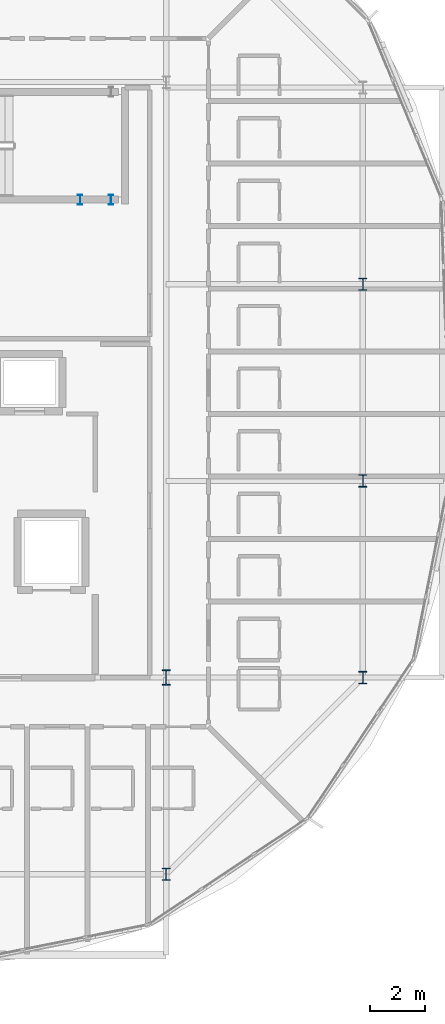
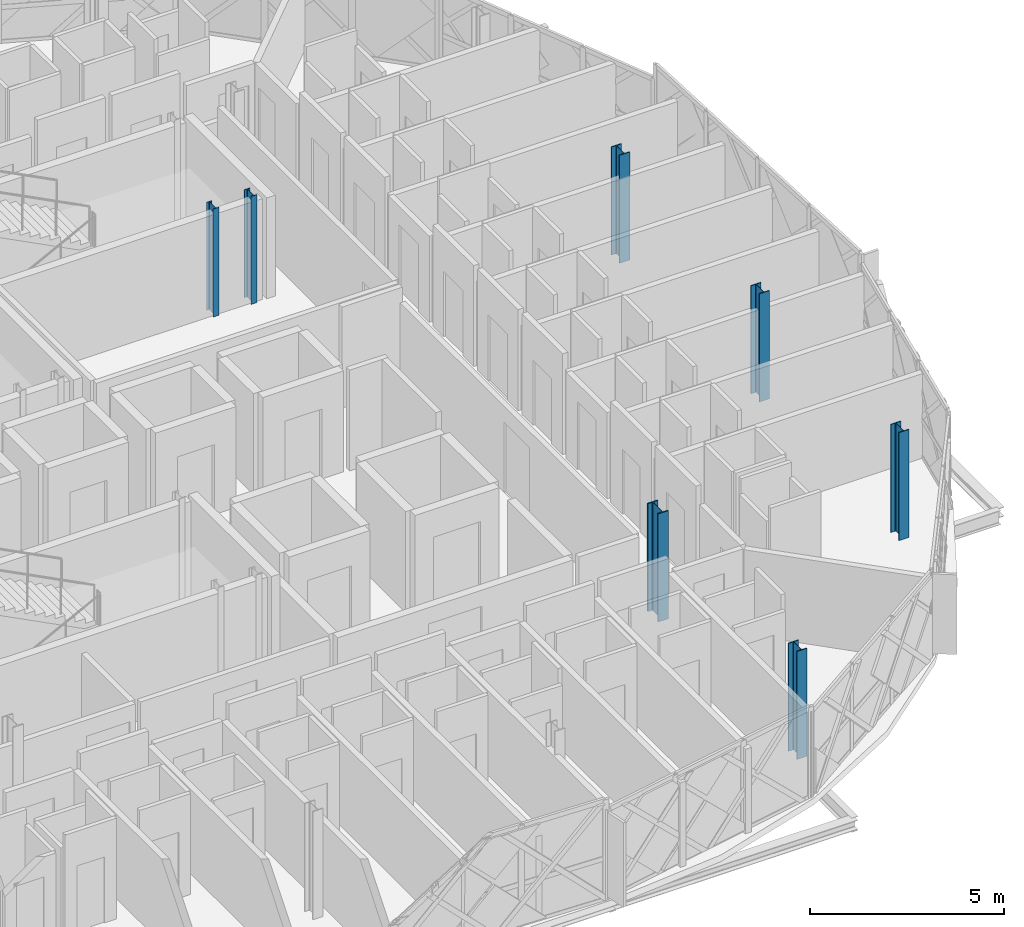
# One storey, part 2 of 25: 7 columns.
"""IFC4 building model written with IfcOpenShell, lengths in metres."""

from ifc_helpers import new_model, si_unit, direction, frame, origin, origin_2d, place, context, subcontext, project, spatial, i_section, extrude, material, material_profile, profile_set, type_object, element, save


model = new_model("IFC4")

# Units and contexts
model_context = context("Model", 3, precision=1e-05, world=origin(), true_north=direction((0.0, 1.0)))
body_context = subcontext(model_context, "Body", "Model", "MODEL_VIEW")
ifc_project = project(units=[si_unit("LENGTHUNIT", "METRE"), si_unit("AREAUNIT", "SQUARE_METRE"), si_unit("VOLUMEUNIT", "CUBIC_METRE"), si_unit("PLANEANGLEUNIT", "RADIAN"), si_unit("MASSUNIT", "GRAM", prefix="KILO")], contexts=[model_context])

# Site, building, storey
site_placement = place(None, origin())
site = spatial("IfcSite", under=ifc_project, at=site_placement, CompositionType="ELEMENT")
building_placement = place(site_placement, origin())
building = spatial("IfcBuilding", under=site, at=building_placement, Name="Zevrakil Square Congress Hotel", CompositionType="ELEMENT")
storey_placement = place(building_placement, frame((0.0, 0.0, 28.300048828125)))
storey = spatial("IfcBuildingStorey", under=building, at=storey_placement, Name="L08", CompositionType="ELEMENT", Elevation=28.300048828125)

# Columns
ifc_material_1 = material(Name="Steel S355", Category="steel")
ifc_material_profile_1 = material_profile(ifc_material_1, i_section(OverallWidth=0.300048828125, OverallDepth=0.449951171875, WebThickness=0.013916015625, FlangeThickness=0.02587890625, FilletRadius=0.027099609375, at=origin_2d()), Name="HEB 450")
ifc_profile_set_1 = profile_set([ifc_material_profile_1], Name="Steel S355")
column_type_1 = type_object("IfcColumnType", Name="COL-HEB450", PredefinedType="COLUMN", material=ifc_profile_set_1)
for number, where, z_axis, x_axis, name in (
    (1, (156.0, 9.60009765625, 0.0), (0.0, 0.0, 1.0), (1.0, 0.0, 0.0), "L08 drum column DC04"),
    (2, (163.199951171875, 16.800048828125, 0.0), (0.0, 0.0, 1.0), (1.0, 0.0, 0.0), "L08 drum column DC05"),
    (3, (163.199951171875, 24.0, 0.0), (0.0, 0.0, 1.0), (1.0, 0.0, 0.0), "L08 drum column DC06"),
    (4, (163.199951171875, 31.199951171875, 0.0), (0.0, 0.0, 1.0), (1.0, 0.0, 0.0), "L08 drum column DC07"),
):
    element("IfcColumn", number, at=place(storey_placement, frame(where, z_axis=z_axis, x_axis=x_axis)), inside=storey, type_object=column_type_1, Name=name, PredefinedType="COLUMN", context=body_context, shape_type="SweptSolid", body=[
        extrude(i_section(OverallWidth=0.300048828125, OverallDepth=0.449951171875, WebThickness=0.013916015625, FlangeThickness=0.02587890625, FilletRadius=0.027099609375, at=origin_2d()), origin(), (0.0, 0.0, 1.0), 3.39990234375),
    ])
ifc_material_2 = material(Name="Steel S355", Category="steel")
ifc_material_profile_2 = material_profile(ifc_material_2, i_section(OverallWidth=0.305908203125, OverallDepth=0.572021484375, WebThickness=0.02099609375, FlangeThickness=0.0400390625, FilletRadius=0.027099609375, at=origin_2d()), Name="HEM 550")
ifc_profile_set_2 = profile_set([ifc_material_profile_2], Name="Steel S355")
column_type_2 = type_object("IfcColumnType", Name="COL-HEM550", PredefinedType="COLUMN", material=ifc_profile_set_2)
column_placement = place(storey_placement, frame((156.0, 16.800048828125, 0.0), z_axis=(0.0, 0.0, 1.0), x_axis=(1.0, 0.0, 0.0)))
element("IfcColumn", 5, at=column_placement, inside=storey, type_object=column_type_2, Name="L08 column C-222", PredefinedType="COLUMN", context=body_context, shape_type="SweptSolid", body=[
    extrude(i_section(OverallWidth=0.305908203125, OverallDepth=0.572021484375, WebThickness=0.02099609375, FlangeThickness=0.0400390625, FilletRadius=0.027099609375, at=origin_2d()), origin(), (0.0, 0.0, 1.0), 3.39990234375),
])
ifc_material_3 = material(Name="Steel S355", Category="steel")
ifc_material_profile_3 = material_profile(ifc_material_3, i_section(OverallWidth=0.169921875, OverallDepth=0.360107421875, WebThickness=0.008056640625, FlangeThickness=0.0126953125, FilletRadius=0.01806640625, at=origin_2d()), Name="IPE 360")
ifc_profile_set_3 = profile_set([ifc_material_profile_3], Name="Steel S355")
column_type_3 = type_object("IfcColumnType", Name="COL-PILASTER-SHS180", PredefinedType="PILASTER", material=ifc_profile_set_3)
for number, where, z_axis, x_axis, name in (
    (6, (152.85009765625, 34.300048828125, 0.0), (0.0, 0.0, 1.0), (1.0, 0.0, 0.0), "L08 ST03 stair shaft post 1"),
    (7, (153.97998046875, 34.300048828125, 0.0), (0.0, 0.0, 1.0), (1.0, 0.0, 0.0), "L08 ST03 stair shaft post 2"),
):
    element("IfcColumn", number, at=place(storey_placement, frame(where, z_axis=z_axis, x_axis=x_axis)), inside=storey, type_object=column_type_3, Name=name, PredefinedType="PILASTER", context=body_context, shape_type="SweptSolid", body=[
        extrude(i_section(OverallWidth=0.169921875, OverallDepth=0.360107421875, WebThickness=0.008056640625, FlangeThickness=0.0126953125, FilletRadius=0.01806640625, at=origin_2d()), origin(), (0.0, 0.0, 1.0), 3.39990234375),
    ])

save(model, "model.ifc")
